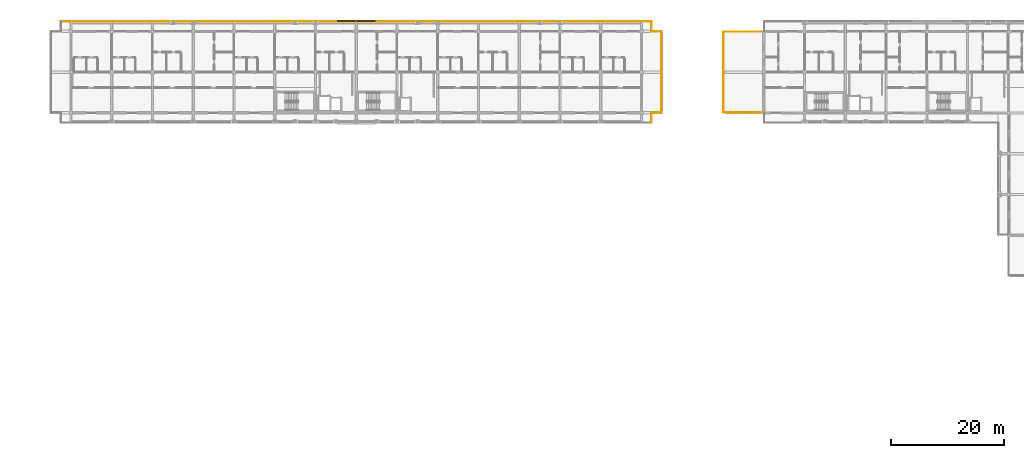
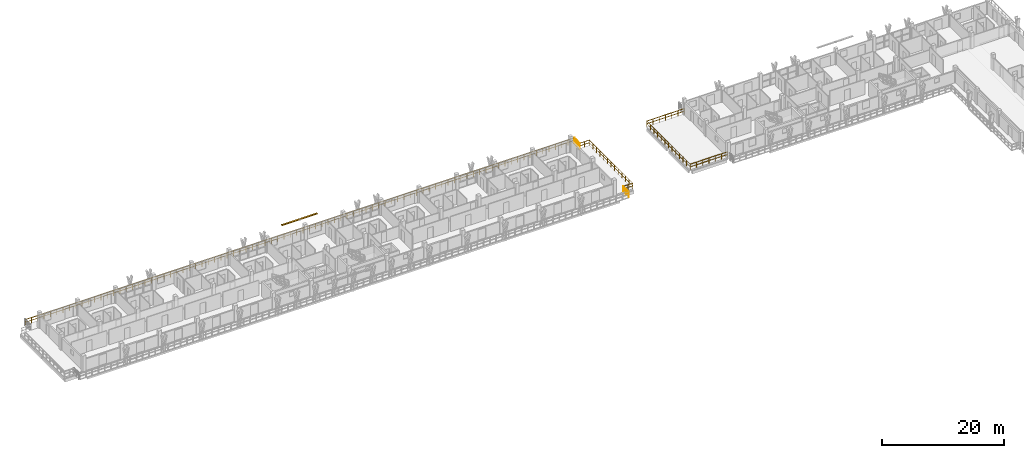
# One storey, part 66 of 73: 9 railings, 1 shading device.
"""IFC4 building model written with IfcOpenShell, lengths in metres."""

from ifc_helpers import new_model, si_unit, direction, frame, origin, origin_2d, place, context, subcontext, project, spatial, rectangle, extrude, material, type_object, element, save


model = new_model("IFC4")

# Units and contexts
model_context = context("Model", 3, precision=1e-05, world=origin(), true_north=direction((0.0, 1.0)))
body_context = subcontext(model_context, "Body", "Model", "MODEL_VIEW")
ifc_project = project(units=[si_unit("LENGTHUNIT", "METRE"), si_unit("AREAUNIT", "SQUARE_METRE"), si_unit("VOLUMEUNIT", "CUBIC_METRE"), si_unit("PLANEANGLEUNIT", "RADIAN"), si_unit("MASSUNIT", "GRAM", prefix="KILO")], contexts=[model_context])

# Site, building, storey
site_placement = place(None, origin())
site = spatial("IfcSite", under=ifc_project, at=site_placement, CompositionType="ELEMENT")
building_placement = place(site_placement, origin())
building = spatial("IfcBuilding", under=site, at=building_placement, Name="Suanplinth Sawtooth Commons", CompositionType="ELEMENT")
storey_placement = place(building_placement, frame((0.0, 0.0, 21.89990234375)))
storey = spatial("IfcBuildingStorey", under=building, at=storey_placement, Name="L06", CompositionType="ELEMENT", Elevation=21.89990234375)

# Railings
ifc_material_1 = material(Name="Powder-coated galvanized steel", Category="steel")
railing_type = type_object("IfcRailingType", Name="GR-01", PredefinedType="BALUSTRADE", material=ifc_material_1)
railing_1_placement = place(storey_placement, frame((5.4599609375, 124.139892578125, 0.0)))
element("IfcRailing", 1, at=railing_1_placement, inside=storey, type_object=railing_type, Name="L06 Block A Perimeter Balustrade 5", PredefinedType="BALUSTRADE", context=body_context, shape_type="SweptSolid", body=[
    extrude(rectangle(XDim=0.048095703125, YDim=0.048095703125, at=origin_2d()), frame((0.0, 0.0, 1.09619140625), z_axis=(1.0, 0.0, 0.0), x_axis=(0.0, 1.0, 0.0)), (0.0, 0.0, 1.0), 104.280029296875),
    extrude(rectangle(XDim=0.03369140625, YDim=0.03369140625, at=origin_2d()), frame((0.0, 0.0, 0.56005859375), z_axis=(1.0, 0.0, 0.0), x_axis=(0.0, 1.0, 0.0)), (0.0, 0.0, 1.0), 104.280029296875),
    extrude(rectangle(XDim=0.0419921875, YDim=0.0419921875, at=origin_2d()), origin(), (0.0, 0.0, 1.0), 1.072021484375),
    extrude(rectangle(XDim=0.0419921875, YDim=0.0419921875, at=origin_2d()), frame((1.19873046875, 0.0, 0.0)), (0.0, 0.0, 1.0), 1.072021484375),
    extrude(rectangle(XDim=0.0419921875, YDim=0.0419921875, at=origin_2d()), frame((2.397216796875, 0.0, 0.0)), (0.0, 0.0, 1.0), 1.072021484375),
    extrude(rectangle(XDim=0.0419921875, YDim=0.0419921875, at=origin_2d()), frame((3.595947265625, 0.0, 0.0)), (0.0, 0.0, 1.0), 1.072021484375),
    extrude(rectangle(XDim=0.0419921875, YDim=0.0419921875, at=origin_2d()), frame((4.79443359375, 0.0, 0.0)), (0.0, 0.0, 1.0), 1.072021484375),
    extrude(rectangle(XDim=0.0419921875, YDim=0.0419921875, at=origin_2d()), frame((5.9931640625, 0.0, 0.0)), (0.0, 0.0, 1.0), 1.072021484375),
    extrude(rectangle(XDim=0.0419921875, YDim=0.0419921875, at=origin_2d()), frame((7.191650390625, 0.0, 0.0)), (0.0, 0.0, 1.0), 1.072021484375),
    extrude(rectangle(XDim=0.0419921875, YDim=0.0419921875, at=origin_2d()), frame((8.390380859375, 0.0, 0.0)), (0.0, 0.0, 1.0), 1.072021484375),
    extrude(rectangle(XDim=0.0419921875, YDim=0.0419921875, at=origin_2d()), frame((9.5888671875, 0.0, 0.0)), (0.0, 0.0, 1.0), 1.072021484375),
    extrude(rectangle(XDim=0.0419921875, YDim=0.0419921875, at=origin_2d()), frame((10.78759765625, 0.0, 0.0)), (0.0, 0.0, 1.0), 1.072021484375),
    extrude(rectangle(XDim=0.0419921875, YDim=0.0419921875, at=origin_2d()), frame((11.986328125, 0.0, 0.0)), (0.0, 0.0, 1.0), 1.072021484375),
    extrude(rectangle(XDim=0.0419921875, YDim=0.0419921875, at=origin_2d()), frame((13.184814453125, 0.0, 0.0)), (0.0, 0.0, 1.0), 1.072021484375),
    extrude(rectangle(XDim=0.0419921875, YDim=0.0419921875, at=origin_2d()), frame((14.383544921875, 0.0, 0.0)), (0.0, 0.0, 1.0), 1.072021484375),
    extrude(rectangle(XDim=0.0419921875, YDim=0.0419921875, at=origin_2d()), frame((15.58203125, 0.0, 0.0)), (0.0, 0.0, 1.0), 1.072021484375),
    extrude(rectangle(XDim=0.0419921875, YDim=0.0419921875, at=origin_2d()), frame((16.78076171875, 0.0, 0.0)), (0.0, 0.0, 1.0), 1.072021484375),
    extrude(rectangle(XDim=0.0419921875, YDim=0.0419921875, at=origin_2d()), frame((17.979248046875, 0.0, 0.0)), (0.0, 0.0, 1.0), 1.072021484375),
    extrude(rectangle(XDim=0.0419921875, YDim=0.0419921875, at=origin_2d()), frame((19.177978515625, 0.0, 0.0)), (0.0, 0.0, 1.0), 1.072021484375),
    extrude(rectangle(XDim=0.0419921875, YDim=0.0419921875, at=origin_2d()), frame((20.37646484375, 0.0, 0.0)), (0.0, 0.0, 1.0), 1.072021484375),
    extrude(rectangle(XDim=0.0419921875, YDim=0.0419921875, at=origin_2d()), frame((21.5751953125, 0.0, 0.0)), (0.0, 0.0, 1.0), 1.072021484375),
    extrude(rectangle(XDim=0.0419921875, YDim=0.0419921875, at=origin_2d()), frame((22.773681640625, 0.0, 0.0)), (0.0, 0.0, 1.0), 1.072021484375),
    extrude(rectangle(XDim=0.0419921875, YDim=0.0419921875, at=origin_2d()), frame((23.972412109375, 0.0, 0.0)), (0.0, 0.0, 1.0), 1.072021484375),
    extrude(rectangle(XDim=0.0419921875, YDim=0.0419921875, at=origin_2d()), frame((25.171142578125, 0.0, 0.0)), (0.0, 0.0, 1.0), 1.072021484375),
    extrude(rectangle(XDim=0.0419921875, YDim=0.0419921875, at=origin_2d()), frame((26.36962890625, 0.0, 0.0)), (0.0, 0.0, 1.0), 1.072021484375),
    extrude(rectangle(XDim=0.0419921875, YDim=0.0419921875, at=origin_2d()), frame((27.568359375, 0.0, 0.0)), (0.0, 0.0, 1.0), 1.072021484375),
    extrude(rectangle(XDim=0.0419921875, YDim=0.0419921875, at=origin_2d()), frame((28.766845703125, 0.0, 0.0)), (0.0, 0.0, 1.0), 1.072021484375),
    extrude(rectangle(XDim=0.0419921875, YDim=0.0419921875, at=origin_2d()), frame((29.965576171875, 0.0, 0.0)), (0.0, 0.0, 1.0), 1.072021484375),
    extrude(rectangle(XDim=0.0419921875, YDim=0.0419921875, at=origin_2d()), frame((31.1640625, 0.0, 0.0)), (0.0, 0.0, 1.0), 1.072021484375),
    extrude(rectangle(XDim=0.0419921875, YDim=0.0419921875, at=origin_2d()), frame((32.36279296875, 0.0, 0.0)), (0.0, 0.0, 1.0), 1.072021484375),
    extrude(rectangle(XDim=0.0419921875, YDim=0.0419921875, at=origin_2d()), frame((33.561279296875, 0.0, 0.0)), (0.0, 0.0, 1.0), 1.072021484375),
    extrude(rectangle(XDim=0.0419921875, YDim=0.0419921875, at=origin_2d()), frame((34.760009765625, 0.0, 0.0)), (0.0, 0.0, 1.0), 1.072021484375),
    extrude(rectangle(XDim=0.0419921875, YDim=0.0419921875, at=origin_2d()), frame((35.958740234375, 0.0, 0.0)), (0.0, 0.0, 1.0), 1.072021484375),
    extrude(rectangle(XDim=0.0419921875, YDim=0.0419921875, at=origin_2d()), frame((37.1572265625, 0.0, 0.0)), (0.0, 0.0, 1.0), 1.072021484375),
    extrude(rectangle(XDim=0.0419921875, YDim=0.0419921875, at=origin_2d()), frame((38.35595703125, 0.0, 0.0)), (0.0, 0.0, 1.0), 1.072021484375),
    extrude(rectangle(XDim=0.0419921875, YDim=0.0419921875, at=origin_2d()), frame((39.554443359375, 0.0, 0.0)), (0.0, 0.0, 1.0), 1.072021484375),
    extrude(rectangle(XDim=0.0419921875, YDim=0.0419921875, at=origin_2d()), frame((40.753173828125, 0.0, 0.0)), (0.0, 0.0, 1.0), 1.072021484375),
    extrude(rectangle(XDim=0.0419921875, YDim=0.0419921875, at=origin_2d()), frame((41.95166015625, 0.0, 0.0)), (0.0, 0.0, 1.0), 1.072021484375),
    extrude(rectangle(XDim=0.0419921875, YDim=0.0419921875, at=origin_2d()), frame((43.150390625, 0.0, 0.0)), (0.0, 0.0, 1.0), 1.072021484375),
    extrude(rectangle(XDim=0.0419921875, YDim=0.0419921875, at=origin_2d()), frame((44.348876953125, 0.0, 0.0)), (0.0, 0.0, 1.0), 1.072021484375),
    extrude(rectangle(XDim=0.0419921875, YDim=0.0419921875, at=origin_2d()), frame((45.547607421875, 0.0, 0.0)), (0.0, 0.0, 1.0), 1.072021484375),
    extrude(rectangle(XDim=0.0419921875, YDim=0.0419921875, at=origin_2d()), frame((46.746337890625, 0.0, 0.0)), (0.0, 0.0, 1.0), 1.072021484375),
    extrude(rectangle(XDim=0.0419921875, YDim=0.0419921875, at=origin_2d()), frame((47.94482421875, 0.0, 0.0)), (0.0, 0.0, 1.0), 1.072021484375),
    extrude(rectangle(XDim=0.0419921875, YDim=0.0419921875, at=origin_2d()), frame((49.1435546875, 0.0, 0.0)), (0.0, 0.0, 1.0), 1.072021484375),
    extrude(rectangle(XDim=0.0419921875, YDim=0.0419921875, at=origin_2d()), frame((50.342041015625, 0.0, 0.0)), (0.0, 0.0, 1.0), 1.072021484375),
    extrude(rectangle(XDim=0.0419921875, YDim=0.0419921875, at=origin_2d()), frame((51.540771484375, 0.0, 0.0)), (0.0, 0.0, 1.0), 1.072021484375),
    extrude(rectangle(XDim=0.0419921875, YDim=0.0419921875, at=origin_2d()), frame((52.7392578125, 0.0, 0.0)), (0.0, 0.0, 1.0), 1.072021484375),
    extrude(rectangle(XDim=0.0419921875, YDim=0.0419921875, at=origin_2d()), frame((53.93798828125, 0.0, 0.0)), (0.0, 0.0, 1.0), 1.072021484375),
    extrude(rectangle(XDim=0.0419921875, YDim=0.0419921875, at=origin_2d()), frame((55.136474609375, 0.0, 0.0)), (0.0, 0.0, 1.0), 1.072021484375),
    extrude(rectangle(XDim=0.0419921875, YDim=0.0419921875, at=origin_2d()), frame((56.335205078125, 0.0, 0.0)), (0.0, 0.0, 1.0), 1.072021484375),
    extrude(rectangle(XDim=0.0419921875, YDim=0.0419921875, at=origin_2d()), frame((57.53369140625, 0.0, 0.0)), (0.0, 0.0, 1.0), 1.072021484375),
    extrude(rectangle(XDim=0.0419921875, YDim=0.0419921875, at=origin_2d()), frame((58.732421875, 0.0, 0.0)), (0.0, 0.0, 1.0), 1.072021484375),
    extrude(rectangle(XDim=0.0419921875, YDim=0.0419921875, at=origin_2d()), frame((59.93115234375, 0.0, 0.0)), (0.0, 0.0, 1.0), 1.072021484375),
    extrude(rectangle(XDim=0.0419921875, YDim=0.0419921875, at=origin_2d()), frame((61.129638671875, 0.0, 0.0)), (0.0, 0.0, 1.0), 1.072021484375),
    extrude(rectangle(XDim=0.0419921875, YDim=0.0419921875, at=origin_2d()), frame((62.328369140625, 0.0, 0.0)), (0.0, 0.0, 1.0), 1.072021484375),
    extrude(rectangle(XDim=0.0419921875, YDim=0.0419921875, at=origin_2d()), frame((63.52685546875, 0.0, 0.0)), (0.0, 0.0, 1.0), 1.072021484375),
    extrude(rectangle(XDim=0.0419921875, YDim=0.0419921875, at=origin_2d()), frame((64.7255859375, 0.0, 0.0)), (0.0, 0.0, 1.0), 1.072021484375),
    extrude(rectangle(XDim=0.0419921875, YDim=0.0419921875, at=origin_2d()), frame((65.924072265625, 0.0, 0.0)), (0.0, 0.0, 1.0), 1.072021484375),
    extrude(rectangle(XDim=0.0419921875, YDim=0.0419921875, at=origin_2d()), frame((67.122802734375, 0.0, 0.0)), (0.0, 0.0, 1.0), 1.072021484375),
    extrude(rectangle(XDim=0.0419921875, YDim=0.0419921875, at=origin_2d()), frame((68.3212890625, 0.0, 0.0)), (0.0, 0.0, 1.0), 1.072021484375),
    extrude(rectangle(XDim=0.0419921875, YDim=0.0419921875, at=origin_2d()), frame((69.52001953125, 0.0, 0.0)), (0.0, 0.0, 1.0), 1.072021484375),
    extrude(rectangle(XDim=0.0419921875, YDim=0.0419921875, at=origin_2d()), frame((70.71875, 0.0, 0.0)), (0.0, 0.0, 1.0), 1.072021484375),
    extrude(rectangle(XDim=0.0419921875, YDim=0.0419921875, at=origin_2d()), frame((71.917236328125, 0.0, 0.0)), (0.0, 0.0, 1.0), 1.072021484375),
    extrude(rectangle(XDim=0.0419921875, YDim=0.0419921875, at=origin_2d()), frame((73.115966796875, 0.0, 0.0)), (0.0, 0.0, 1.0), 1.072021484375),
    extrude(rectangle(XDim=0.0419921875, YDim=0.0419921875, at=origin_2d()), frame((74.314453125, 0.0, 0.0)), (0.0, 0.0, 1.0), 1.072021484375),
    extrude(rectangle(XDim=0.0419921875, YDim=0.0419921875, at=origin_2d()), frame((75.51318359375, 0.0, 0.0)), (0.0, 0.0, 1.0), 1.072021484375),
    extrude(rectangle(XDim=0.0419921875, YDim=0.0419921875, at=origin_2d()), frame((76.711669921875, 0.0, 0.0)), (0.0, 0.0, 1.0), 1.072021484375),
    extrude(rectangle(XDim=0.0419921875, YDim=0.0419921875, at=origin_2d()), frame((77.910400390625, 0.0, 0.0)), (0.0, 0.0, 1.0), 1.072021484375),
    extrude(rectangle(XDim=0.0419921875, YDim=0.0419921875, at=origin_2d()), frame((79.10888671875, 0.0, 0.0)), (0.0, 0.0, 1.0), 1.072021484375),
    extrude(rectangle(XDim=0.0419921875, YDim=0.0419921875, at=origin_2d()), frame((80.3076171875, 0.0, 0.0)), (0.0, 0.0, 1.0), 1.072021484375),
    extrude(rectangle(XDim=0.0419921875, YDim=0.0419921875, at=origin_2d()), frame((81.50634765625, 0.0, 0.0)), (0.0, 0.0, 1.0), 1.072021484375),
    extrude(rectangle(XDim=0.0419921875, YDim=0.0419921875, at=origin_2d()), frame((82.704833984375, 0.0, 0.0)), (0.0, 0.0, 1.0), 1.072021484375),
    extrude(rectangle(XDim=0.0419921875, YDim=0.0419921875, at=origin_2d()), frame((83.903564453125, 0.0, 0.0)), (0.0, 0.0, 1.0), 1.072021484375),
    extrude(rectangle(XDim=0.0419921875, YDim=0.0419921875, at=origin_2d()), frame((85.10205078125, 0.0, 0.0)), (0.0, 0.0, 1.0), 1.072021484375),
    extrude(rectangle(XDim=0.0419921875, YDim=0.0419921875, at=origin_2d()), frame((86.30078125, 0.0, 0.0)), (0.0, 0.0, 1.0), 1.072021484375),
    extrude(rectangle(XDim=0.0419921875, YDim=0.0419921875, at=origin_2d()), frame((87.499267578125, 0.0, 0.0)), (0.0, 0.0, 1.0), 1.072021484375),
    extrude(rectangle(XDim=0.0419921875, YDim=0.0419921875, at=origin_2d()), frame((88.697998046875, 0.0, 0.0)), (0.0, 0.0, 1.0), 1.072021484375),
    extrude(rectangle(XDim=0.0419921875, YDim=0.0419921875, at=origin_2d()), frame((89.896484375, 0.0, 0.0)), (0.0, 0.0, 1.0), 1.072021484375),
    extrude(rectangle(XDim=0.0419921875, YDim=0.0419921875, at=origin_2d()), frame((91.09521484375, 0.0, 0.0)), (0.0, 0.0, 1.0), 1.072021484375),
    extrude(rectangle(XDim=0.0419921875, YDim=0.0419921875, at=origin_2d()), frame((92.293701171875, 0.0, 0.0)), (0.0, 0.0, 1.0), 1.072021484375),
    extrude(rectangle(XDim=0.0419921875, YDim=0.0419921875, at=origin_2d()), frame((93.492431640625, 0.0, 0.0)), (0.0, 0.0, 1.0), 1.072021484375),
    extrude(rectangle(XDim=0.0419921875, YDim=0.0419921875, at=origin_2d()), frame((94.691162109375, 0.0, 0.0)), (0.0, 0.0, 1.0), 1.072021484375),
    extrude(rectangle(XDim=0.0419921875, YDim=0.0419921875, at=origin_2d()), frame((95.8896484375, 0.0, 0.0)), (0.0, 0.0, 1.0), 1.072021484375),
    extrude(rectangle(XDim=0.0419921875, YDim=0.0419921875, at=origin_2d()), frame((97.08837890625, 0.0, 0.0)), (0.0, 0.0, 1.0), 1.072021484375),
    extrude(rectangle(XDim=0.0419921875, YDim=0.0419921875, at=origin_2d()), frame((98.286865234375, 0.0, 0.0)), (0.0, 0.0, 1.0), 1.072021484375),
    extrude(rectangle(XDim=0.0419921875, YDim=0.0419921875, at=origin_2d()), frame((99.485595703125, 0.0, 0.0)), (0.0, 0.0, 1.0), 1.072021484375),
    extrude(rectangle(XDim=0.0419921875, YDim=0.0419921875, at=origin_2d()), frame((100.68408203125, 0.0, 0.0)), (0.0, 0.0, 1.0), 1.072021484375),
    extrude(rectangle(XDim=0.0419921875, YDim=0.0419921875, at=origin_2d()), frame((101.8828125, 0.0, 0.0)), (0.0, 0.0, 1.0), 1.072021484375),
    extrude(rectangle(XDim=0.0419921875, YDim=0.0419921875, at=origin_2d()), frame((103.081298828125, 0.0, 0.0)), (0.0, 0.0, 1.0), 1.072021484375),
    extrude(rectangle(XDim=0.0419921875, YDim=0.0419921875, at=origin_2d()), frame((104.280029296875, 0.0, 0.0)), (0.0, 0.0, 1.0), 1.072021484375),
])
railing_2_placement = place(storey_placement, frame((109.739990234375, 124.139892578125, 0.0)))
element("IfcRailing", 2, at=railing_2_placement, inside=storey, type_object=railing_type, Name="L06 Block A Perimeter Balustrade 6", PredefinedType="BALUSTRADE", context=body_context, shape_type="SweptSolid", body=[
    extrude(rectangle(XDim=0.048095703125, YDim=0.048095703125, at=origin_2d()), frame((0.0, 0.0, 1.09619140625), z_axis=(0.0, -1.0, 0.0), x_axis=(1.0, 0.0, 0.0)), (0.0, 0.0, 1.0), 1.7998046875),
    extrude(rectangle(XDim=0.03369140625, YDim=0.03369140625, at=origin_2d()), frame((0.0, 0.0, 0.56005859375), z_axis=(0.0, -1.0, 0.0), x_axis=(1.0, 0.0, 0.0)), (0.0, 0.0, 1.0), 1.7998046875),
    extrude(rectangle(XDim=0.0419921875, YDim=0.0419921875, at=origin_2d()), origin(), (0.0, 0.0, 1.0), 1.072021484375),
    extrude(rectangle(XDim=0.0419921875, YDim=0.0419921875, at=origin_2d()), frame((0.0, -0.89990234375, 0.0)), (0.0, 0.0, 1.0), 1.072021484375),
    extrude(rectangle(XDim=0.0419921875, YDim=0.0419921875, at=origin_2d()), frame((0.0, -1.7998046875, 0.0)), (0.0, 0.0, 1.0), 1.072021484375),
])
railing_3_placement = place(storey_placement, frame((109.739990234375, 122.340087890625, 0.0)))
element("IfcRailing", 3, at=railing_3_placement, inside=storey, type_object=railing_type, Name="L06 Block A Perimeter Balustrade 7", PredefinedType="BALUSTRADE", context=body_context, shape_type="SweptSolid", body=[
    extrude(rectangle(XDim=0.048095703125, YDim=0.048095703125, at=origin_2d()), frame((0.0, 0.0, 1.09619140625), z_axis=(1.0, 0.0, 0.0), x_axis=(0.0, 1.0, 0.0)), (0.0, 0.0, 1.0), 1.800048828125),
    extrude(rectangle(XDim=0.03369140625, YDim=0.03369140625, at=origin_2d()), frame((0.0, 0.0, 0.56005859375), z_axis=(1.0, 0.0, 0.0), x_axis=(0.0, 1.0, 0.0)), (0.0, 0.0, 1.0), 1.800048828125),
    extrude(rectangle(XDim=0.0419921875, YDim=0.0419921875, at=origin_2d()), origin(), (0.0, 0.0, 1.0), 1.072021484375),
    extrude(rectangle(XDim=0.0419921875, YDim=0.0419921875, at=origin_2d()), frame((0.89990234375, 0.0, 0.0)), (0.0, 0.0, 1.0), 1.072021484375),
    extrude(rectangle(XDim=0.0419921875, YDim=0.0419921875, at=origin_2d()), frame((1.800048828125, 0.0, 0.0)), (0.0, 0.0, 1.0), 1.072021484375),
])
railing_4_placement = place(storey_placement, frame((111.5400390625, 122.340087890625, 0.0)))
element("IfcRailing", 4, at=railing_4_placement, inside=storey, type_object=railing_type, Name="L06 Block A Perimeter Balustrade 8", PredefinedType="BALUSTRADE", context=body_context, shape_type="SweptSolid", body=[
    extrude(rectangle(XDim=0.048095703125, YDim=0.048095703125, at=origin_2d()), frame((0.0, 0.0, 1.09619140625), z_axis=(0.0, -1.0, 0.0), x_axis=(1.0, 0.0, 0.0)), (0.0, 0.0, 1.0), 14.280029296875),
    extrude(rectangle(XDim=0.03369140625, YDim=0.03369140625, at=origin_2d()), frame((0.0, 0.0, 0.56005859375), z_axis=(0.0, -1.0, 0.0), x_axis=(1.0, 0.0, 0.0)), (0.0, 0.0, 1.0), 14.280029296875),
    extrude(rectangle(XDim=0.0419921875, YDim=0.0419921875, at=origin_2d()), origin(), (0.0, 0.0, 1.0), 1.072021484375),
    extrude(rectangle(XDim=0.0419921875, YDim=0.0419921875, at=origin_2d()), frame((0.0, -1.18994140625, 0.0)), (0.0, 0.0, 1.0), 1.072021484375),
    extrude(rectangle(XDim=0.0419921875, YDim=0.0419921875, at=origin_2d()), frame((0.0, -2.3798828125, 0.0)), (0.0, 0.0, 1.0), 1.072021484375),
    extrude(rectangle(XDim=0.0419921875, YDim=0.0419921875, at=origin_2d()), frame((0.0, -3.570068359375, 0.0)), (0.0, 0.0, 1.0), 1.072021484375),
    extrude(rectangle(XDim=0.0419921875, YDim=0.0419921875, at=origin_2d()), frame((0.0, -4.760009765625, 0.0)), (0.0, 0.0, 1.0), 1.072021484375),
    extrude(rectangle(XDim=0.0419921875, YDim=0.0419921875, at=origin_2d()), frame((0.0, -5.949951171875, 0.0)), (0.0, 0.0, 1.0), 1.072021484375),
    extrude(rectangle(XDim=0.0419921875, YDim=0.0419921875, at=origin_2d()), frame((0.0, -7.14013671875, 0.0)), (0.0, 0.0, 1.0), 1.072021484375),
    extrude(rectangle(XDim=0.0419921875, YDim=0.0419921875, at=origin_2d()), frame((0.0, -8.330078125, 0.0)), (0.0, 0.0, 1.0), 1.072021484375),
    extrude(rectangle(XDim=0.0419921875, YDim=0.0419921875, at=origin_2d()), frame((0.0, -9.52001953125, 0.0)), (0.0, 0.0, 1.0), 1.072021484375),
    extrude(rectangle(XDim=0.0419921875, YDim=0.0419921875, at=origin_2d()), frame((0.0, -10.7099609375, 0.0)), (0.0, 0.0, 1.0), 1.072021484375),
    extrude(rectangle(XDim=0.0419921875, YDim=0.0419921875, at=origin_2d()), frame((0.0, -11.89990234375, 0.0)), (0.0, 0.0, 1.0), 1.072021484375),
    extrude(rectangle(XDim=0.0419921875, YDim=0.0419921875, at=origin_2d()), frame((0.0, -13.090087890625, 0.0)), (0.0, 0.0, 1.0), 1.072021484375),
    extrude(rectangle(XDim=0.0419921875, YDim=0.0419921875, at=origin_2d()), frame((0.0, -14.280029296875, 0.0)), (0.0, 0.0, 1.0), 1.072021484375),
])
railing_5_placement = place(storey_placement, frame((111.5400390625, 108.06005859375, 0.0)))
element("IfcRailing", 5, at=railing_5_placement, inside=storey, type_object=railing_type, Name="L06 Block A Perimeter Balustrade 9", PredefinedType="BALUSTRADE", context=body_context, shape_type="SweptSolid", body=[
    extrude(rectangle(XDim=0.048095703125, YDim=0.048095703125, at=origin_2d()), frame((0.0, 0.0, 1.09619140625), z_axis=(-1.0, 0.0, 0.0), x_axis=(0.0, -1.0, 0.0)), (0.0, 0.0, 1.0), 1.800048828125),
    extrude(rectangle(XDim=0.03369140625, YDim=0.03369140625, at=origin_2d()), frame((0.0, 0.0, 0.56005859375), z_axis=(-1.0, 0.0, 0.0), x_axis=(0.0, -1.0, 0.0)), (0.0, 0.0, 1.0), 1.800048828125),
    extrude(rectangle(XDim=0.0419921875, YDim=0.0419921875, at=origin_2d()), origin(), (0.0, 0.0, 1.0), 1.072021484375),
    extrude(rectangle(XDim=0.0419921875, YDim=0.0419921875, at=origin_2d()), frame((-0.89990234375, 0.0, 0.0)), (0.0, 0.0, 1.0), 1.072021484375),
    extrude(rectangle(XDim=0.0419921875, YDim=0.0419921875, at=origin_2d()), frame((-1.800048828125, 0.0, 0.0)), (0.0, 0.0, 1.0), 1.072021484375),
])
railing_6_placement = place(storey_placement, frame((109.739990234375, 108.06005859375, 0.0)))
element("IfcRailing", 6, at=railing_6_placement, inside=storey, type_object=railing_type, Name="L06 Block A Perimeter Balustrade 10", PredefinedType="BALUSTRADE", context=body_context, shape_type="SweptSolid", body=[
    extrude(rectangle(XDim=0.048095703125, YDim=0.048095703125, at=origin_2d()), frame((0.0, 0.0, 1.09619140625), z_axis=(0.0, -1.0, 0.0), x_axis=(1.0, 0.0, 0.0)), (0.0, 0.0, 1.0), 1.800048828125),
    extrude(rectangle(XDim=0.03369140625, YDim=0.03369140625, at=origin_2d()), frame((0.0, 0.0, 0.56005859375), z_axis=(0.0, -1.0, 0.0), x_axis=(1.0, 0.0, 0.0)), (0.0, 0.0, 1.0), 1.800048828125),
    extrude(rectangle(XDim=0.0419921875, YDim=0.0419921875, at=origin_2d()), origin(), (0.0, 0.0, 1.0), 1.072021484375),
    extrude(rectangle(XDim=0.0419921875, YDim=0.0419921875, at=origin_2d()), frame((0.0, -0.89990234375, 0.0)), (0.0, 0.0, 1.0), 1.072021484375),
    extrude(rectangle(XDim=0.0419921875, YDim=0.0419921875, at=origin_2d()), frame((0.0, -1.800048828125, 0.0)), (0.0, 0.0, 1.0), 1.072021484375),
])
railing_7_placement = place(storey_placement, frame((129.580078125, 108.06005859375, 0.0)))
element("IfcRailing", 7, at=railing_7_placement, inside=storey, type_object=railing_type, Name="L06 Block B Perimeter Balustrade 5", PredefinedType="BALUSTRADE", context=body_context, shape_type="SweptSolid", body=[
    extrude(rectangle(XDim=0.048095703125, YDim=0.048095703125, at=origin_2d()), frame((0.0, 0.0, 1.09619140625), z_axis=(-1.0, 0.0, 0.0), x_axis=(0.0, -1.0, 0.0)), (0.0, 0.0, 1.0), 7.1201171875),
    extrude(rectangle(XDim=0.03369140625, YDim=0.03369140625, at=origin_2d()), frame((0.0, 0.0, 0.56005859375), z_axis=(-1.0, 0.0, 0.0), x_axis=(0.0, -1.0, 0.0)), (0.0, 0.0, 1.0), 7.1201171875),
    extrude(rectangle(XDim=0.0419921875, YDim=0.0419921875, at=origin_2d()), origin(), (0.0, 0.0, 1.0), 1.072021484375),
    extrude(rectangle(XDim=0.0419921875, YDim=0.0419921875, at=origin_2d()), frame((-1.186767578125, 0.0, 0.0)), (0.0, 0.0, 1.0), 1.072021484375),
    extrude(rectangle(XDim=0.0419921875, YDim=0.0419921875, at=origin_2d()), frame((-2.373291015625, 0.0, 0.0)), (0.0, 0.0, 1.0), 1.072021484375),
    extrude(rectangle(XDim=0.0419921875, YDim=0.0419921875, at=origin_2d()), frame((-3.56005859375, 0.0, 0.0)), (0.0, 0.0, 1.0), 1.072021484375),
    extrude(rectangle(XDim=0.0419921875, YDim=0.0419921875, at=origin_2d()), frame((-4.746826171875, 0.0, 0.0)), (0.0, 0.0, 1.0), 1.072021484375),
    extrude(rectangle(XDim=0.0419921875, YDim=0.0419921875, at=origin_2d()), frame((-5.933349609375, 0.0, 0.0)), (0.0, 0.0, 1.0), 1.072021484375),
    extrude(rectangle(XDim=0.0419921875, YDim=0.0419921875, at=origin_2d()), frame((-7.1201171875, 0.0, 0.0)), (0.0, 0.0, 1.0), 1.072021484375),
])
railing_8_placement = place(storey_placement, frame((122.4599609375, 108.06005859375, 0.0)))
element("IfcRailing", 8, at=railing_8_placement, inside=storey, type_object=railing_type, Name="L06 Block B Perimeter Balustrade 6", PredefinedType="BALUSTRADE", context=body_context, shape_type="SweptSolid", body=[
    extrude(rectangle(XDim=0.048095703125, YDim=0.048095703125, at=origin_2d()), frame((0.0, 0.0, 1.09619140625), z_axis=(0.0, 1.0, 0.0), x_axis=(-1.0, 0.0, 0.0)), (0.0, 0.0, 1.0), 14.280029296875),
    extrude(rectangle(XDim=0.03369140625, YDim=0.03369140625, at=origin_2d()), frame((0.0, 0.0, 0.56005859375), z_axis=(0.0, 1.0, 0.0), x_axis=(-1.0, 0.0, 0.0)), (0.0, 0.0, 1.0), 14.280029296875),
    extrude(rectangle(XDim=0.0419921875, YDim=0.0419921875, at=origin_2d()), origin(), (0.0, 0.0, 1.0), 1.072021484375),
    extrude(rectangle(XDim=0.0419921875, YDim=0.0419921875, at=origin_2d()), frame((0.0, 1.18994140625, 0.0)), (0.0, 0.0, 1.0), 1.072021484375),
    extrude(rectangle(XDim=0.0419921875, YDim=0.0419921875, at=origin_2d()), frame((0.0, 2.3798828125, 0.0)), (0.0, 0.0, 1.0), 1.072021484375),
    extrude(rectangle(XDim=0.0419921875, YDim=0.0419921875, at=origin_2d()), frame((0.0, 3.570068359375, 0.0)), (0.0, 0.0, 1.0), 1.072021484375),
    extrude(rectangle(XDim=0.0419921875, YDim=0.0419921875, at=origin_2d()), frame((0.0, 4.760009765625, 0.0)), (0.0, 0.0, 1.0), 1.072021484375),
    extrude(rectangle(XDim=0.0419921875, YDim=0.0419921875, at=origin_2d()), frame((0.0, 5.949951171875, 0.0)), (0.0, 0.0, 1.0), 1.072021484375),
    extrude(rectangle(XDim=0.0419921875, YDim=0.0419921875, at=origin_2d()), frame((0.0, 7.14013671875, 0.0)), (0.0, 0.0, 1.0), 1.072021484375),
    extrude(rectangle(XDim=0.0419921875, YDim=0.0419921875, at=origin_2d()), frame((0.0, 8.330078125, 0.0)), (0.0, 0.0, 1.0), 1.072021484375),
    extrude(rectangle(XDim=0.0419921875, YDim=0.0419921875, at=origin_2d()), frame((0.0, 9.52001953125, 0.0)), (0.0, 0.0, 1.0), 1.072021484375),
    extrude(rectangle(XDim=0.0419921875, YDim=0.0419921875, at=origin_2d()), frame((0.0, 10.7099609375, 0.0)), (0.0, 0.0, 1.0), 1.072021484375),
    extrude(rectangle(XDim=0.0419921875, YDim=0.0419921875, at=origin_2d()), frame((0.0, 11.89990234375, 0.0)), (0.0, 0.0, 1.0), 1.072021484375),
    extrude(rectangle(XDim=0.0419921875, YDim=0.0419921875, at=origin_2d()), frame((0.0, 13.090087890625, 0.0)), (0.0, 0.0, 1.0), 1.072021484375),
    extrude(rectangle(XDim=0.0419921875, YDim=0.0419921875, at=origin_2d()), frame((0.0, 14.280029296875, 0.0)), (0.0, 0.0, 1.0), 1.072021484375),
])
railing_9_placement = place(storey_placement, frame((122.4599609375, 122.340087890625, 0.0)))
element("IfcRailing", 9, at=railing_9_placement, inside=storey, type_object=railing_type, Name="L06 Block B Perimeter Balustrade 7", PredefinedType="BALUSTRADE", context=body_context, shape_type="SweptSolid", body=[
    extrude(rectangle(XDim=0.048095703125, YDim=0.048095703125, at=origin_2d()), frame((0.0, 0.0, 1.09619140625), z_axis=(1.0, 0.0, 0.0), x_axis=(0.0, 1.0, 0.0)), (0.0, 0.0, 1.0), 7.1201171875),
    extrude(rectangle(XDim=0.03369140625, YDim=0.03369140625, at=origin_2d()), frame((0.0, 0.0, 0.56005859375), z_axis=(1.0, 0.0, 0.0), x_axis=(0.0, 1.0, 0.0)), (0.0, 0.0, 1.0), 7.1201171875),
    extrude(rectangle(XDim=0.0419921875, YDim=0.0419921875, at=origin_2d()), origin(), (0.0, 0.0, 1.0), 1.072021484375),
    extrude(rectangle(XDim=0.0419921875, YDim=0.0419921875, at=origin_2d()), frame((1.186767578125, 0.0, 0.0)), (0.0, 0.0, 1.0), 1.072021484375),
    extrude(rectangle(XDim=0.0419921875, YDim=0.0419921875, at=origin_2d()), frame((2.373291015625, 0.0, 0.0)), (0.0, 0.0, 1.0), 1.072021484375),
    extrude(rectangle(XDim=0.0419921875, YDim=0.0419921875, at=origin_2d()), frame((3.56005859375, 0.0, 0.0)), (0.0, 0.0, 1.0), 1.072021484375),
    extrude(rectangle(XDim=0.0419921875, YDim=0.0419921875, at=origin_2d()), frame((4.746826171875, 0.0, 0.0)), (0.0, 0.0, 1.0), 1.072021484375),
    extrude(rectangle(XDim=0.0419921875, YDim=0.0419921875, at=origin_2d()), frame((5.933349609375, 0.0, 0.0)), (0.0, 0.0, 1.0), 1.072021484375),
    extrude(rectangle(XDim=0.0419921875, YDim=0.0419921875, at=origin_2d()), frame((7.1201171875, 0.0, 0.0)), (0.0, 0.0, 1.0), 1.072021484375),
])

# Shading device
ifc_material_2 = material(Name="Anodized aluminium 6063-T6", Category="aluminium")
shading_device_type = type_object("IfcShadingDeviceType", Name="SHD-01", PredefinedType="JALOUSIE", material=ifc_material_2)
shading_device_placement = place(storey_placement, frame((57.60009765625, 124.239990234375, 2.920166015625), z_axis=(0.0, 0.0, 1.0), x_axis=(1.0, 0.0, 0.0)))
element("IfcShadingDevice", 10, at=shading_device_placement, inside=storey, type_object=shading_device_type, Name="Monsoon Louvre L06-A-1", PredefinedType="JALOUSIE", context=body_context, shape_type="SweptSolid", body=[
    extrude(rectangle(XDim=6.800048828125, YDim=0.35009765625, at=origin_2d()), origin(), (0.0, 0.0, 1.0), 0.06005859375),
])

save(model, "model.ifc")
